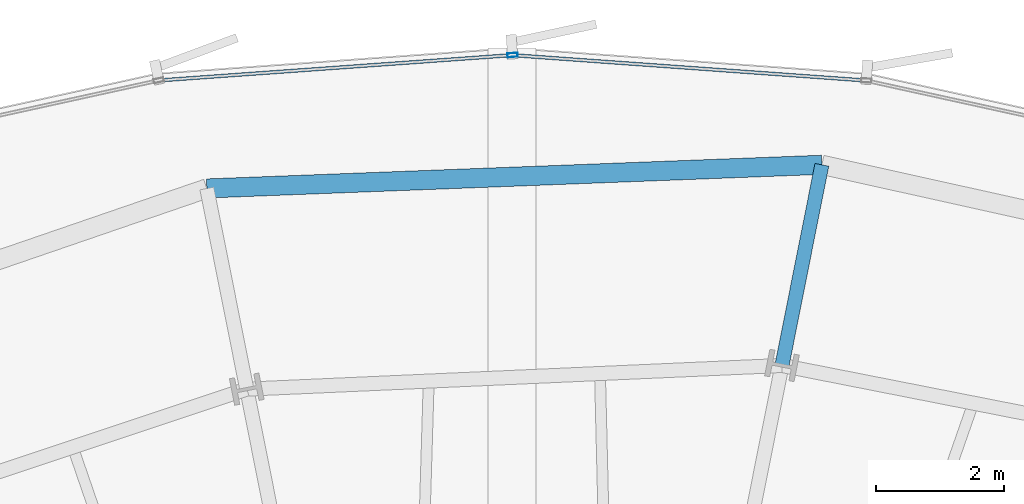
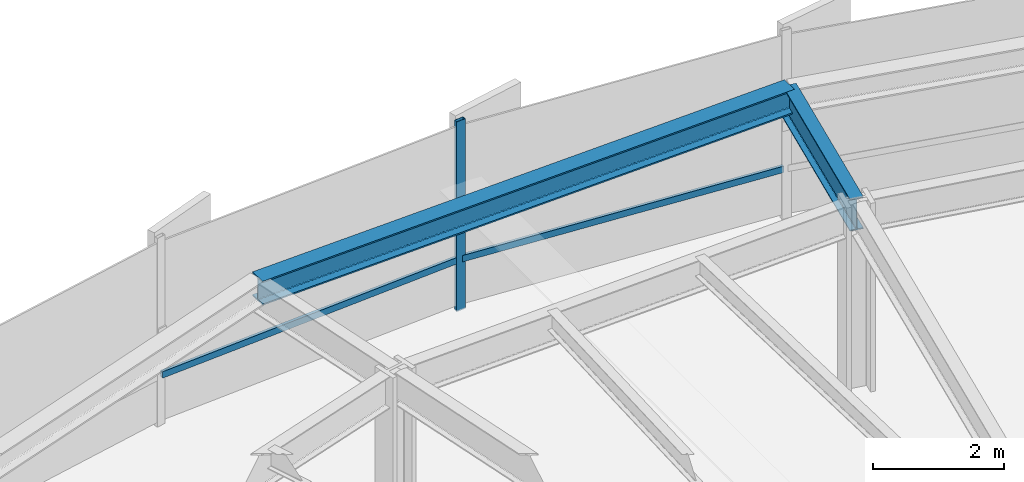
# One storey, part 21 of 38: 3 members, 2 beams, 1 element without a shape of its own.
"""IFC4 building model written with IfcOpenShell, lengths in metres."""

from ifc_helpers import new_model, si_unit, direction, frame, origin, origin_2d, place, context, subcontext, project, spatial, hollow_rectangle, i_section, extrude, source, transform, mapped, material, layer, layer_set, material_profile, profile_set, type_object, element, aggregate, save


model = new_model("IFC4")

# Units and contexts
model_context = context("Model", 3, precision=1e-05, world=origin(), true_north=direction((0.0, 1.0)))
body_context = subcontext(model_context, "Body", "Model", "MODEL_VIEW")
ifc_project = project(units=[si_unit("LENGTHUNIT", "METRE"), si_unit("AREAUNIT", "SQUARE_METRE"), si_unit("VOLUMEUNIT", "CUBIC_METRE"), si_unit("PLANEANGLEUNIT", "RADIAN"), si_unit("MASSUNIT", "GRAM", prefix="KILO"), si_unit("THERMODYNAMICTEMPERATUREUNIT", "KELVIN")], contexts=[model_context])

# Site, building, storey
site_placement = place(None, origin())
site = spatial("IfcSite", under=ifc_project, at=site_placement, CompositionType="ELEMENT")
building_placement = place(site_placement, origin())
building = spatial("IfcBuilding", under=site, at=building_placement, Name="Kethvar Cultural Tower", CompositionType="ELEMENT")
storey_placement = place(building_placement, frame((0.0, 0.0, 29.60009765625)))
storey = spatial("IfcBuildingStorey", under=building, at=storey_placement, Name="L06", CompositionType="ELEMENT", Elevation=29.60009765625)

# Beams
ifc_material_1 = material(Name="Steel S355J2", Category="steel")
ifc_material_profile_1 = material_profile(ifc_material_1, i_section(OverallWidth=0.219970703125, OverallDepth=0.60009765625, WebThickness=0.011962890625, FlangeThickness=0.01904296875, FilletRadius=0.02392578125, at=origin_2d()), Name="Steel S355J2 — IPE600")
ifc_profile_set_1 = profile_set([ifc_material_profile_1], Name="Steel S355J2 — IPE600")
beam_type_1 = type_object("IfcBeamType", Name="BM-IPE600", PredefinedType="BEAM", material=ifc_profile_set_1)
shared_shape_1 = source(origin(), body_context, "Body", "SweptSolid", [
    extrude(i_section(OverallWidth=0.219970703125, OverallDepth=0.60009765625, WebThickness=0.011962890625, FlangeThickness=0.01904296875, FilletRadius=0.02392578125, at=origin_2d()), origin(), (0.0, 0.0, 1.0), 3.199951171875),
])
beam_1_placement = place(storey_placement, frame((51.022216796875, 49.02587890625, 3.247802734375), z_axis=(0.195088965533, 0.980785550224, 0.0), x_axis=(-0.980785550224, 0.195088965533, 0.0)))
element("IfcBeam", 1, at=beam_1_placement, inside=storey, type_object=beam_type_1, Name="L06 Perimeter Cantilever Beam RC-04", PredefinedType="BEAM", context=body_context, shape_type="MappedRepresentation", body=[
    mapped(shared_shape_1, transform((0.0, 0.0, 0.0), scale=1.0)),
])
ifc_material_profile_2 = material_profile(ifc_material_1, i_section(OverallWidth=0.300048828125, OverallDepth=0.449951171875, WebThickness=0.013916015625, FlangeThickness=0.02587890625, FilletRadius=0.027099609375, at=origin_2d()), Name="Steel S355J2 — HEB450")
ifc_profile_set_2 = profile_set([ifc_material_profile_2], Name="Steel S355J2 — HEB450")
beam_type_2 = type_object("IfcBeamType", Name="BM-SP450", PredefinedType="SPANDREL", material=ifc_profile_set_2)
shared_shape_2 = source(origin(), body_context, "Body", "SweptSolid", [
    extrude(i_section(OverallWidth=0.300048828125, OverallDepth=0.449951171875, WebThickness=0.013916015625, FlangeThickness=0.02587890625, FilletRadius=0.027099609375, at=origin_2d()), origin(), (0.0, 0.0, 1.0), 9.62646484375),
])
beam_2_placement = place(storey_placement, frame((51.646484375, 52.164306640625, 3.322998046875), z_axis=(-0.999260612605, -0.038447732004, 0.0), x_axis=(0.038447732004, -0.999260612605, 0.0)))
element("IfcBeam", 2, at=beam_2_placement, inside=storey, type_object=beam_type_2, Name="L06 Perimeter Spandrel Beam SP-04", PredefinedType="SPANDREL", context=body_context, shape_type="MappedRepresentation", body=[
    mapped(shared_shape_2, transform((0.0, 0.0, 0.0), scale=1.0)),
])

# Curtain wall, members
ifc_material_2 = material(Name="Aluminium 6063-T6", Category="aluminium")
ifc_layer = layer(ifc_material_2, 0.179931640625, Name="Aluminium 6063-T6", Category="aluminium")
ifc_layer_set = layer_set([ifc_layer], Name="Aluminium 6063-T6 (180 mm)")
curtain_wall_type = type_object("IfcCurtainWallType", Name="CW-SYS-02-Z1", PredefinedType="NOTDEFINED", material=ifc_layer_set)
curtain_wall_placement = place(storey_placement, origin())
curtain_wall = element("IfcCurtainWall", 3, at=curtain_wall_placement, inside=storey, type_object=curtain_wall_type, Name="L06 Curtain Wall Run 02", PredefinedType="NOTDEFINED")
ifc_material_profile_3 = material_profile(ifc_material_2, hollow_rectangle(XDim=0.06494140625, YDim=0.159912109375, WallThickness=0.0048828125, at=origin_2d()), Name="Aluminium 6063-T6 — RHS160x65x5")
ifc_profile_set_3 = profile_set([ifc_material_profile_3], Name="Aluminium 6063-T6 — RHS160x65x5")
member_type_1 = type_object("IfcMemberType", Name="CW-SYS-02-Z1-MUL", PredefinedType="MULLION", material=ifc_profile_set_3)
shared_shape_3 = source(origin(), body_context, "Body", "SweptSolid", [
    extrude(hollow_rectangle(XDim=0.06494140625, YDim=0.159912109375, WallThickness=0.0048828125, at=origin_2d()), origin(), (0.0, 0.0, 1.0), 3.5498046875),
])
member_1_placement = place(storey_placement, frame((46.80859375, 53.88037109375, 0.0), z_axis=(0.0, 0.0, 1.0), x_axis=(0.071532261541, -0.997438286592, 0.0)))
member_1 = element("IfcMember", 4, at=member_1_placement, type_object=member_type_1, Name="CW-L06-R02 Mullion 4", PredefinedType="MULLION", context=body_context, shape_type="MappedRepresentation", body=[
    mapped(shared_shape_3, transform((0.0, 0.0, 0.0), scale=1.0)),
])
ifc_material_profile_4 = material_profile(ifc_material_2, hollow_rectangle(XDim=0.054931640625, YDim=0.1201171875, WallThickness=0.00390625, at=origin_2d()), Name="Aluminium 6063-T6 — RHS120x55x4")
ifc_profile_set_4 = profile_set([ifc_material_profile_4], Name="Aluminium 6063-T6 — RHS120x55x4")
member_type_2 = type_object("IfcMemberType", Name="CW-SYS-02-Z1-TRN", PredefinedType="USERDEFINED", material=ifc_profile_set_4)
shared_shape_4 = source(origin(), body_context, "Body", "SweptSolid", [
    extrude(hollow_rectangle(XDim=0.054931640625, YDim=0.1201171875, WallThickness=0.00390625, at=origin_2d()), origin(), (0.0, 0.0, 1.0), 5.47021484375),
])
member_2_placement = place(storey_placement, frame((52.29443359375, 53.485595703125, 0.949951171875), z_axis=(-0.997437587196, 0.071542013167, 0.0), x_axis=(-0.071542013167, -0.997437587196, 0.0)))
member_2 = element("IfcMember", 5, at=member_2_placement, type_object=member_type_2, Name="CW-L06-R02 Transom 3", ObjectType="TRANSOM", PredefinedType="USERDEFINED", context=body_context, shape_type="MappedRepresentation", body=[
    mapped(shared_shape_4, transform((0.0, 0.0, 0.0), scale=1.0)),
])
shared_shape_5 = source(origin(), body_context, "Body", "SweptSolid", [
    extrude(hollow_rectangle(XDim=0.054931640625, YDim=0.1201171875, WallThickness=0.00390625, at=origin_2d()), origin(), (0.0, 0.0, 1.0), 5.470458984375),
])
member_3_placement = place(storey_placement, frame((46.761962890625, 53.876953125, 0.949951171875), z_axis=(-0.997437815609, -0.071538828565, 0.0), x_axis=(0.071538828565, -0.997437815609, 0.0)))
member_3 = element("IfcMember", 6, at=member_3_placement, type_object=member_type_2, Name="CW-L06-R02 Transom 4", ObjectType="TRANSOM", PredefinedType="USERDEFINED", context=body_context, shape_type="MappedRepresentation", body=[
    mapped(shared_shape_5, transform((0.0, 0.0, 0.0), scale=1.0)),
])
aggregate(curtain_wall, [member_1, member_2, member_3])

save(model, "model.ifc")
